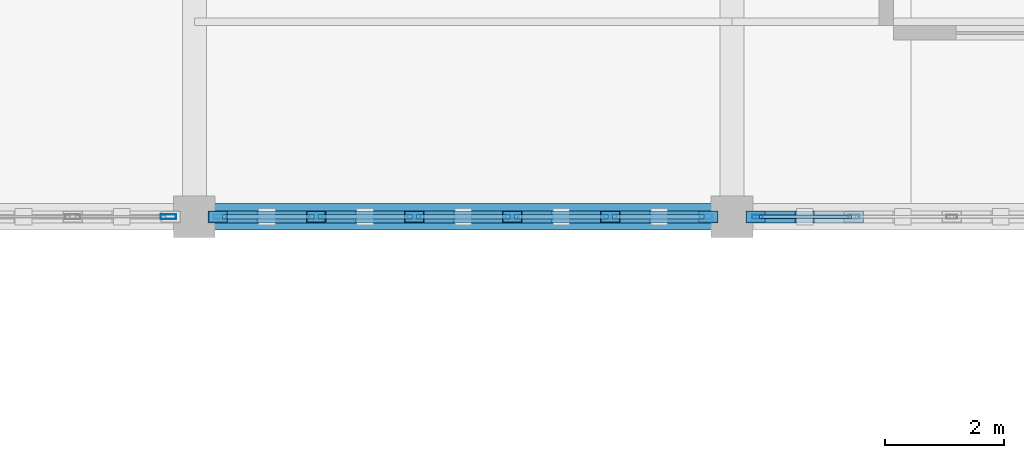
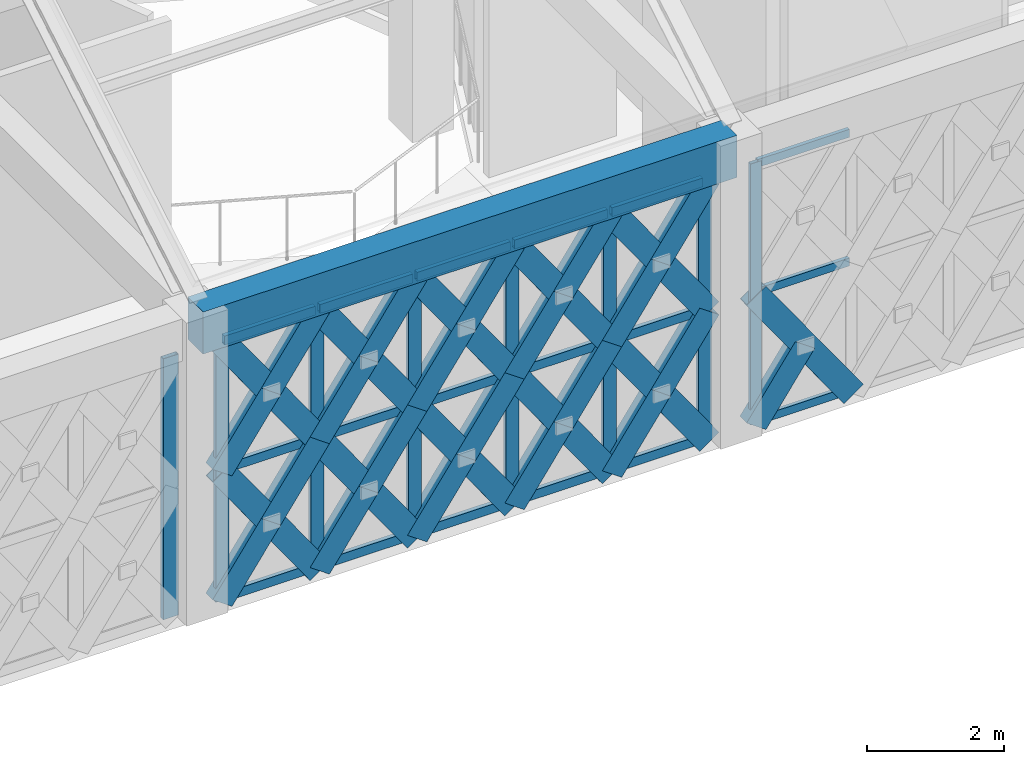
# One storey, part 39 of 72: 58 members, 1 beam, 3 elements without a shape of their own.
"""IFC4 building model written with IfcOpenShell, lengths in metres."""

from ifc_helpers import new_model, si_unit, direction, frame, origin, origin_2d, place, context, subcontext, project, spatial, rectangle, hollow_rectangle, extrude, material, material_profile, profile_set, type_object, element, aggregate, save


model = new_model("IFC4")

# Units and contexts
model_context = context("Model", 3, precision=1e-05, world=origin(), true_north=direction((0.0, 1.0)))
body_context = subcontext(model_context, "Body", "Model", "MODEL_VIEW")
ifc_project = project(units=[si_unit("LENGTHUNIT", "METRE"), si_unit("AREAUNIT", "SQUARE_METRE"), si_unit("VOLUMEUNIT", "CUBIC_METRE"), si_unit("PLANEANGLEUNIT", "RADIAN"), si_unit("MASSUNIT", "GRAM", prefix="KILO")], contexts=[model_context])

# Site, building, storey
site_placement = place(None, origin())
site = spatial("IfcSite", under=ifc_project, at=site_placement, CompositionType="ELEMENT")
building_placement = place(site_placement, origin())
building = spatial("IfcBuilding", under=site, at=building_placement, Name="Haizhuo Lancet Aquarium", CompositionType="ELEMENT")
storey_placement = place(building_placement, frame((0.0, 0.0, 21.60009765625)))
storey = spatial("IfcBuildingStorey", under=building, at=storey_placement, Name="L04", CompositionType="ELEMENT", Elevation=21.60009765625)

# Beam
ifc_material_1 = material(Name="Concrete C40/50", Category="concrete")
ifc_material_profile_1 = material_profile(ifc_material_1, rectangle(XDim=0.449951171875, YDim=0.75, at=origin_2d()), Name="RC-BM 450x750")
ifc_profile_set_1 = profile_set([ifc_material_profile_1], Name="Concrete C40/50")
beam_type = type_object("IfcBeamType", Name="BM-RC-450x750", PredefinedType="BEAM", material=ifc_profile_set_1)
beam_placement = place(storey_placement, frame((-18.0, 36.0, 5.02490234375), z_axis=(1.0, 0.0, 0.0), x_axis=(0.0, 1.0, 0.0)))
element("IfcBeam", 1, at=beam_placement, inside=storey, type_object=beam_type, Name="L04 V5 primary girder BM-L04-V5-004", PredefinedType="BEAM", context=body_context, shape_type="SweptSolid", body=[
    extrude(rectangle(XDim=0.449951171875, YDim=0.75, at=origin_2d()), origin(), (0.0, 0.0, 1.0), 9.0),
])

# Curtain wall, member
ifc_material_2 = material(Name="Aluminium 6063-T6", Category="aluminium")
curtain_wall_type = type_object("IfcCurtainWallType", Name="CWD-8210x4650", PredefinedType="NOTDEFINED", material=ifc_material_2)
curtain_wall_1_placement = place(storey_placement, origin())
curtain_wall_1 = element("IfcCurtainWall", 2, at=curtain_wall_1_placement, inside=storey, type_object=curtain_wall_type, Name="L04 curtain wall CW-V5-L04-187", PredefinedType="NOTDEFINED")
ifc_material_profile_2 = material_profile(ifc_material_2, hollow_rectangle(XDim=0.06494140625, YDim=0.179931640625, WallThickness=0.00390625, at=origin_2d()), Name="ALU-M 65x180x4")
ifc_profile_set_2 = profile_set([ifc_material_profile_2], Name="Aluminium 6063-T6")
member_type_1 = type_object("IfcMemberType", Name="CW-MUL-1", PredefinedType="MULLION", material=ifc_profile_set_2)
member_1_placement = place(storey_placement, frame((-8.572021484375, 36.0, 0.0), z_axis=(0.0, 0.0, 1.0), x_axis=(0.0, -1.0, 0.0)))
member_1 = element("IfcMember", 3, at=member_1_placement, type_object=member_type_1, Name="CWD-82x46 mullion 6", PredefinedType="MULLION", context=body_context, shape_type="SweptSolid", body=[
    extrude(hollow_rectangle(XDim=0.06494140625, YDim=0.179931640625, WallThickness=0.00390625, at=origin_2d()), origin(), (0.0, 0.0, 1.0), 4.64990234375),
])

# Curtain wall, members
curtain_wall_2_placement = place(storey_placement, origin())
curtain_wall_2 = element("IfcCurtainWall", 4, at=curtain_wall_2_placement, inside=storey, type_object=curtain_wall_type, Name="L04 curtain wall CW-V5-L04-188", PredefinedType="NOTDEFINED")
ifc_material_profile_3 = material_profile(ifc_material_2, hollow_rectangle(XDim=0.074951171875, YDim=0.219970703125, WallThickness=0.0048828125, at=origin_2d()), Name="ALU-M 75x220x5")
ifc_profile_set_3 = profile_set([ifc_material_profile_3], Name="Aluminium 6063-T6")
member_type_2 = type_object("IfcMemberType", Name="CW-MUL-2", PredefinedType="MULLION", material=ifc_profile_set_3)
member_2_placement = place(storey_placement, frame((-9.431884765625, 36.0, 0.0), z_axis=(0.0, 0.0, 1.0), x_axis=(0.0, -1.0, 0.0)))
member_2 = element("IfcMember", 5, at=member_2_placement, type_object=member_type_2, Name="CWD-82x46 mullion 1", PredefinedType="MULLION", context=body_context, shape_type="SweptSolid", body=[
    extrude(hollow_rectangle(XDim=0.074951171875, YDim=0.219970703125, WallThickness=0.0048828125, at=origin_2d()), origin(), (0.0, 0.0, 1.0), 4.64990234375),
])
member_3_placement = place(storey_placement, frame((-11.037109375, 36.0, 0.0), z_axis=(0.0, 0.0, 1.0), x_axis=(0.0, -1.0, 0.0)))
member_3 = element("IfcMember", 6, at=member_3_placement, type_object=member_type_2, Name="CWD-82x46 mullion 2", PredefinedType="MULLION", context=body_context, shape_type="SweptSolid", body=[
    extrude(hollow_rectangle(XDim=0.074951171875, YDim=0.219970703125, WallThickness=0.0048828125, at=origin_2d()), origin(), (0.0, 0.0, 1.0), 4.64990234375),
])
member_4_placement = place(storey_placement, frame((-12.678955078125, 36.0, 0.0), z_axis=(0.0, 0.0, 1.0), x_axis=(0.0, -1.0, 0.0)))
member_4 = element("IfcMember", 7, at=member_4_placement, type_object=member_type_2, Name="CWD-82x46 mullion 3", PredefinedType="MULLION", context=body_context, shape_type="SweptSolid", body=[
    extrude(hollow_rectangle(XDim=0.074951171875, YDim=0.219970703125, WallThickness=0.0048828125, at=origin_2d()), origin(), (0.0, 0.0, 1.0), 4.64990234375),
])
member_5_placement = place(storey_placement, frame((-14.321044921875, 36.0, 0.0), z_axis=(0.0, 0.0, 1.0), x_axis=(0.0, -1.0, 0.0)))
member_5 = element("IfcMember", 8, at=member_5_placement, type_object=member_type_2, Name="CWD-82x46 mullion 4", PredefinedType="MULLION", context=body_context, shape_type="SweptSolid", body=[
    extrude(hollow_rectangle(XDim=0.074951171875, YDim=0.219970703125, WallThickness=0.0048828125, at=origin_2d()), origin(), (0.0, 0.0, 1.0), 4.64990234375),
])
member_6_placement = place(storey_placement, frame((-15.962890625, 36.0, 0.0), z_axis=(0.0, 0.0, 1.0), x_axis=(0.0, -1.0, 0.0)))
member_6 = element("IfcMember", 9, at=member_6_placement, type_object=member_type_2, Name="CWD-82x46 mullion 5", PredefinedType="MULLION", context=body_context, shape_type="SweptSolid", body=[
    extrude(hollow_rectangle(XDim=0.074951171875, YDim=0.219970703125, WallThickness=0.0048828125, at=origin_2d()), origin(), (0.0, 0.0, 1.0), 4.64990234375),
])
member_7_placement = place(storey_placement, frame((-17.568115234375, 36.0, 0.0), z_axis=(0.0, 0.0, 1.0), x_axis=(0.0, -1.0, 0.0)))
member_7 = element("IfcMember", 10, at=member_7_placement, type_object=member_type_2, Name="CWD-82x46 mullion 6", PredefinedType="MULLION", context=body_context, shape_type="SweptSolid", body=[
    extrude(hollow_rectangle(XDim=0.074951171875, YDim=0.219970703125, WallThickness=0.0048828125, at=origin_2d()), origin(), (0.0, 0.0, 1.0), 4.64990234375),
])

# Curtain wall, member
curtain_wall_3_placement = place(storey_placement, origin())
curtain_wall_3 = element("IfcCurtainWall", 11, at=curtain_wall_3_placement, inside=storey, type_object=curtain_wall_type, Name="L04 curtain wall CW-V5-L04-189", PredefinedType="NOTDEFINED")
ifc_material_profile_4 = material_profile(ifc_material_2, hollow_rectangle(XDim=0.080078125, YDim=0.260009765625, WallThickness=0.0048828125, at=origin_2d()), Name="ALU-M 80x260x5")
ifc_profile_set_4 = profile_set([ifc_material_profile_4], Name="Aluminium 6063-T6")
member_type_3 = type_object("IfcMemberType", Name="CW-MUL-3", PredefinedType="MULLION", material=ifc_profile_set_4)
member_8_placement = place(storey_placement, frame((-18.43505859375, 36.0, 0.0), z_axis=(0.0, 0.0, 1.0), x_axis=(0.0, -1.0, 0.0)))
member_8 = element("IfcMember", 12, at=member_8_placement, type_object=member_type_3, Name="CWD-82x46 mullion 1", PredefinedType="MULLION", context=body_context, shape_type="SweptSolid", body=[
    extrude(hollow_rectangle(XDim=0.080078125, YDim=0.260009765625, WallThickness=0.0048828125, at=origin_2d()), origin(), (0.0, 0.0, 1.0), 4.64990234375),
])
aggregate(curtain_wall_3, [member_8])

# Member
ifc_material_profile_5 = material_profile(ifc_material_2, hollow_rectangle(XDim=0.06494140625, YDim=0.139892578125, WallThickness=0.00390625, at=origin_2d()), Name="ALU-T 65x140x4")
ifc_profile_set_5 = profile_set([ifc_material_profile_5], Name="Aluminium 6063-T6")
member_type_4 = type_object("IfcMemberType", Name="CW-TRN-1", PredefinedType="NOTDEFINED", material=ifc_profile_set_5)
member_9_placement = place(storey_placement, frame((-6.9951171875, 36.0, 0.032958984375), z_axis=(-1.0, 0.0, 0.0), x_axis=(0.0, -1.0, 0.0)))
member_9 = element("IfcMember", 13, at=member_9_placement, type_object=member_type_4, Name="CWD-82x46 transom 5.1", ObjectType="TRANSOM", PredefinedType="USERDEFINED", context=body_context, shape_type="SweptSolid", body=[
    extrude(hollow_rectangle(XDim=0.06494140625, YDim=0.139892578125, WallThickness=0.00390625, at=origin_2d()), origin(), (0.0, 0.0, 1.0), 1.544921875),
])

member_10_placement = place(storey_placement, frame((-6.9951171875, 36.0, 2.324951171875), z_axis=(-1.0, 0.0, 0.0), x_axis=(0.0, -1.0, 0.0)))
member_10 = element("IfcMember", 14, at=member_10_placement, type_object=member_type_4, Name="CWD-82x46 transom 5.2", ObjectType="TRANSOM", PredefinedType="USERDEFINED", context=body_context, shape_type="SweptSolid", body=[
    extrude(hollow_rectangle(XDim=0.06494140625, YDim=0.139892578125, WallThickness=0.00390625, at=origin_2d()), origin(), (0.0, 0.0, 1.0), 1.544921875),
])

member_11_placement = place(storey_placement, frame((-6.9951171875, 36.0, 4.617919921875), z_axis=(-1.0, 0.0, 0.0), x_axis=(0.0, -1.0, 0.0)))
member_11 = element("IfcMember", 15, at=member_11_placement, type_object=member_type_4, Name="CWD-82x46 transom 5.3", ObjectType="TRANSOM", PredefinedType="USERDEFINED", context=body_context, shape_type="SweptSolid", body=[
    extrude(hollow_rectangle(XDim=0.06494140625, YDim=0.139892578125, WallThickness=0.00390625, at=origin_2d()), origin(), (0.0, 0.0, 1.0), 1.544921875),
])

aggregate(curtain_wall_1, [member_1, member_9, member_10, member_11])

ifc_material_profile_6 = material_profile(ifc_material_2, hollow_rectangle(XDim=0.074951171875, YDim=0.159912109375, WallThickness=0.00390625, at=origin_2d()), Name="ALU-T 75x160x4")
ifc_profile_set_6 = profile_set([ifc_material_profile_6], Name="Aluminium 6063-T6")
member_type_5 = type_object("IfcMemberType", Name="CW-TRN-2", PredefinedType="NOTDEFINED", material=ifc_profile_set_6)
member_12_placement = place(storey_placement, frame((-9.469970703125, 36.0, 0.037841796875), z_axis=(-1.0, 0.0, 0.0), x_axis=(0.0, -1.0, 0.0)))
member_12 = element("IfcMember", 16, at=member_12_placement, type_object=member_type_5, Name="CWD-82x46 transom 1.1", ObjectType="TRANSOM", PredefinedType="USERDEFINED", context=body_context, shape_type="SweptSolid", body=[
    extrude(hollow_rectangle(XDim=0.074951171875, YDim=0.159912109375, WallThickness=0.00390625, at=origin_2d()), origin(), (0.0, 0.0, 1.0), 1.529052734375),
])

member_13_placement = place(storey_placement, frame((-9.469970703125, 36.0, 2.324951171875), z_axis=(-1.0, 0.0, 0.0), x_axis=(0.0, -1.0, 0.0)))
member_13 = element("IfcMember", 17, at=member_13_placement, type_object=member_type_5, Name="CWD-82x46 transom 1.2", ObjectType="TRANSOM", PredefinedType="USERDEFINED", context=body_context, shape_type="SweptSolid", body=[
    extrude(hollow_rectangle(XDim=0.074951171875, YDim=0.159912109375, WallThickness=0.00390625, at=origin_2d()), origin(), (0.0, 0.0, 1.0), 1.529052734375),
])

member_14_placement = place(storey_placement, frame((-9.469970703125, 36.0, 4.61181640625), z_axis=(-1.0, 0.0, 0.0), x_axis=(0.0, -1.0, 0.0)))
member_14 = element("IfcMember", 18, at=member_14_placement, type_object=member_type_5, Name="CWD-82x46 transom 1.3", ObjectType="TRANSOM", PredefinedType="USERDEFINED", context=body_context, shape_type="SweptSolid", body=[
    extrude(hollow_rectangle(XDim=0.074951171875, YDim=0.159912109375, WallThickness=0.00390625, at=origin_2d()), origin(), (0.0, 0.0, 1.0), 1.529052734375),
])

member_15_placement = place(storey_placement, frame((-11.074951171875, 36.0, 0.037841796875), z_axis=(-1.0, 0.0, 0.0), x_axis=(0.0, -1.0, 0.0)))
member_15 = element("IfcMember", 19, at=member_15_placement, type_object=member_type_5, Name="CWD-82x46 transom 2.1", ObjectType="TRANSOM", PredefinedType="USERDEFINED", context=body_context, shape_type="SweptSolid", body=[
    extrude(hollow_rectangle(XDim=0.074951171875, YDim=0.159912109375, WallThickness=0.00390625, at=origin_2d()), origin(), (0.0, 0.0, 1.0), 1.567138671875),
])

member_16_placement = place(storey_placement, frame((-11.074951171875, 36.0, 2.324951171875), z_axis=(-1.0, 0.0, 0.0), x_axis=(0.0, -1.0, 0.0)))
member_16 = element("IfcMember", 20, at=member_16_placement, type_object=member_type_5, Name="CWD-82x46 transom 2.2", ObjectType="TRANSOM", PredefinedType="USERDEFINED", context=body_context, shape_type="SweptSolid", body=[
    extrude(hollow_rectangle(XDim=0.074951171875, YDim=0.159912109375, WallThickness=0.00390625, at=origin_2d()), origin(), (0.0, 0.0, 1.0), 1.567138671875),
])

member_17_placement = place(storey_placement, frame((-11.074951171875, 36.0, 4.61181640625), z_axis=(-1.0, 0.0, 0.0), x_axis=(0.0, -1.0, 0.0)))
member_17 = element("IfcMember", 21, at=member_17_placement, type_object=member_type_5, Name="CWD-82x46 transom 2.3", ObjectType="TRANSOM", PredefinedType="USERDEFINED", context=body_context, shape_type="SweptSolid", body=[
    extrude(hollow_rectangle(XDim=0.074951171875, YDim=0.159912109375, WallThickness=0.00390625, at=origin_2d()), origin(), (0.0, 0.0, 1.0), 1.567138671875),
])

member_18_placement = place(storey_placement, frame((-12.716064453125, 36.0, 0.037841796875), z_axis=(-1.0, 0.0, 0.0), x_axis=(0.0, -1.0, 0.0)))
member_18 = element("IfcMember", 22, at=member_18_placement, type_object=member_type_5, Name="CWD-82x46 transom 3.1", ObjectType="TRANSOM", PredefinedType="USERDEFINED", context=body_context, shape_type="SweptSolid", body=[
    extrude(hollow_rectangle(XDim=0.074951171875, YDim=0.159912109375, WallThickness=0.00390625, at=origin_2d()), origin(), (0.0, 0.0, 1.0), 1.56787109375),
])

member_19_placement = place(storey_placement, frame((-12.716064453125, 36.0, 2.324951171875), z_axis=(-1.0, 0.0, 0.0), x_axis=(0.0, -1.0, 0.0)))
member_19 = element("IfcMember", 23, at=member_19_placement, type_object=member_type_5, Name="CWD-82x46 transom 3.2", ObjectType="TRANSOM", PredefinedType="USERDEFINED", context=body_context, shape_type="SweptSolid", body=[
    extrude(hollow_rectangle(XDim=0.074951171875, YDim=0.159912109375, WallThickness=0.00390625, at=origin_2d()), origin(), (0.0, 0.0, 1.0), 1.56787109375),
])

member_20_placement = place(storey_placement, frame((-12.716064453125, 36.0, 4.61181640625), z_axis=(-1.0, 0.0, 0.0), x_axis=(0.0, -1.0, 0.0)))
member_20 = element("IfcMember", 24, at=member_20_placement, type_object=member_type_5, Name="CWD-82x46 transom 3.3", ObjectType="TRANSOM", PredefinedType="USERDEFINED", context=body_context, shape_type="SweptSolid", body=[
    extrude(hollow_rectangle(XDim=0.074951171875, YDim=0.159912109375, WallThickness=0.00390625, at=origin_2d()), origin(), (0.0, 0.0, 1.0), 1.56787109375),
])

member_21_placement = place(storey_placement, frame((-14.35791015625, 36.0, 0.037841796875), z_axis=(-1.0, 0.0, 0.0), x_axis=(0.0, -1.0, 0.0)))
member_21 = element("IfcMember", 25, at=member_21_placement, type_object=member_type_5, Name="CWD-82x46 transom 4.1", ObjectType="TRANSOM", PredefinedType="USERDEFINED", context=body_context, shape_type="SweptSolid", body=[
    extrude(hollow_rectangle(XDim=0.074951171875, YDim=0.159912109375, WallThickness=0.00390625, at=origin_2d()), origin(), (0.0, 0.0, 1.0), 1.567138671875),
])

member_22_placement = place(storey_placement, frame((-14.35791015625, 36.0, 2.324951171875), z_axis=(-1.0, 0.0, 0.0), x_axis=(0.0, -1.0, 0.0)))
member_22 = element("IfcMember", 26, at=member_22_placement, type_object=member_type_5, Name="CWD-82x46 transom 4.2", ObjectType="TRANSOM", PredefinedType="USERDEFINED", context=body_context, shape_type="SweptSolid", body=[
    extrude(hollow_rectangle(XDim=0.074951171875, YDim=0.159912109375, WallThickness=0.00390625, at=origin_2d()), origin(), (0.0, 0.0, 1.0), 1.567138671875),
])

member_23_placement = place(storey_placement, frame((-14.35791015625, 36.0, 4.61181640625), z_axis=(-1.0, 0.0, 0.0), x_axis=(0.0, -1.0, 0.0)))
member_23 = element("IfcMember", 27, at=member_23_placement, type_object=member_type_5, Name="CWD-82x46 transom 4.3", ObjectType="TRANSOM", PredefinedType="USERDEFINED", context=body_context, shape_type="SweptSolid", body=[
    extrude(hollow_rectangle(XDim=0.074951171875, YDim=0.159912109375, WallThickness=0.00390625, at=origin_2d()), origin(), (0.0, 0.0, 1.0), 1.567138671875),
])

member_24_placement = place(storey_placement, frame((-16.0, 36.0, 0.037841796875), z_axis=(-1.0, 0.0, 0.0), x_axis=(0.0, -1.0, 0.0)))
member_24 = element("IfcMember", 28, at=member_24_placement, type_object=member_type_5, Name="CWD-82x46 transom 5.1", ObjectType="TRANSOM", PredefinedType="USERDEFINED", context=body_context, shape_type="SweptSolid", body=[
    extrude(hollow_rectangle(XDim=0.074951171875, YDim=0.159912109375, WallThickness=0.00390625, at=origin_2d()), origin(), (0.0, 0.0, 1.0), 1.530029296875),
])

member_25_placement = place(storey_placement, frame((-16.0, 36.0, 2.324951171875), z_axis=(-1.0, 0.0, 0.0), x_axis=(0.0, -1.0, 0.0)))
member_25 = element("IfcMember", 29, at=member_25_placement, type_object=member_type_5, Name="CWD-82x46 transom 5.2", ObjectType="TRANSOM", PredefinedType="USERDEFINED", context=body_context, shape_type="SweptSolid", body=[
    extrude(hollow_rectangle(XDim=0.074951171875, YDim=0.159912109375, WallThickness=0.00390625, at=origin_2d()), origin(), (0.0, 0.0, 1.0), 1.530029296875),
])

member_26_placement = place(storey_placement, frame((-16.0, 36.0, 4.61181640625), z_axis=(-1.0, 0.0, 0.0), x_axis=(0.0, -1.0, 0.0)))
member_26 = element("IfcMember", 30, at=member_26_placement, type_object=member_type_5, Name="CWD-82x46 transom 5.3", ObjectType="TRANSOM", PredefinedType="USERDEFINED", context=body_context, shape_type="SweptSolid", body=[
    extrude(hollow_rectangle(XDim=0.074951171875, YDim=0.159912109375, WallThickness=0.00390625, at=origin_2d()), origin(), (0.0, 0.0, 1.0), 1.530029296875),
])

aggregate(curtain_wall_2, [member_2, member_3, member_4, member_5, member_6, member_7, member_12, member_13, member_14, member_15, member_16, member_17, member_18, member_19, member_20, member_21, member_22, member_23, member_24, member_25, member_26])

# Members
ifc_material_3 = material(Name="Steel S355", Category="steel")
ifc_material_profile_7 = material_profile(ifc_material_3, hollow_rectangle(XDim=0.199951171875, YDim=0.39990234375, WallThickness=0.011962890625, at=origin_2d()), Name="RHS 200x400x12")
ifc_profile_set_7 = profile_set([ifc_material_profile_7], Name="Steel S355")
member_type_6 = type_object("IfcMemberType", Name="MEM-LB-RHS200x400", PredefinedType="BRACE", material=ifc_profile_set_7)
member_27_placement = place(storey_placement, frame((-6.962890625, 36.0, 0.0), z_axis=(-0.576905431865, 0.0, 0.816810946722), x_axis=(0.0, -1.0, 0.0)))
element("IfcMember", 31, at=member_27_placement, inside=storey, type_object=member_type_6, Name="Gothic lancet continuous diagonal brace CW-V5-L04-187 9A", PredefinedType="BRACE", context=body_context, shape_type="SweptSolid", body=[
    extrude(hollow_rectangle(XDim=0.199951171875, YDim=0.39990234375, WallThickness=0.011962890625, at=origin_2d()), origin(), (0.0, 0.0, 1.0), 2.846435546875),
])
member_28_placement = place(storey_placement, frame((-8.60498046875, 36.0, 0.0), z_axis=(0.576784197237, 0.0, 0.816896560048), x_axis=(0.0, 1.0, 0.0)))
element("IfcMember", 32, at=member_28_placement, inside=storey, type_object=member_type_6, Name="Gothic lancet split diagonal brace CW-V5-L04-187 9B1", PredefinedType="BRACE", context=body_context, shape_type="SweptSolid", body=[
    extrude(hollow_rectangle(XDim=0.199951171875, YDim=0.39990234375, WallThickness=0.011962890625, at=origin_2d()), origin(), (0.0, 0.0, 1.0), 1.423583984375),
])
member_29_placement = place(storey_placement, frame((-9.39501953125, 36.0, 0.0), z_axis=(-0.576905431865, 0.0, 0.816810946722), x_axis=(0.0, -1.0, 0.0)))
element("IfcMember", 33, at=member_29_placement, inside=storey, type_object=member_type_6, Name="Gothic lancet continuous diagonal brace CW-V5-L04-188 1A", PredefinedType="BRACE", context=body_context, shape_type="SweptSolid", body=[
    extrude(hollow_rectangle(XDim=0.199951171875, YDim=0.39990234375, WallThickness=0.011962890625, at=origin_2d()), origin(), (0.0, 0.0, 1.0), 2.846435546875),
])
member_30_placement = place(storey_placement, frame((-11.037109375, 36.0, 0.0), z_axis=(0.576784197237, 0.0, 0.816896560048), x_axis=(0.0, 1.0, 0.0)))
element("IfcMember", 34, at=member_30_placement, inside=storey, type_object=member_type_6, Name="Gothic lancet split diagonal brace CW-V5-L04-188 1B1", PredefinedType="BRACE", context=body_context, shape_type="SweptSolid", body=[
    extrude(hollow_rectangle(XDim=0.199951171875, YDim=0.39990234375, WallThickness=0.011962890625, at=origin_2d()), origin(), (0.0, 0.0, 1.0), 1.423583984375),
])
member_31_placement = place(storey_placement, frame((-10.216064453125, 36.0, 1.162841796875), z_axis=(0.57702670475, 0.0, 0.816725279396), x_axis=(0.0, 1.0, 0.0)))
element("IfcMember", 35, at=member_31_placement, inside=storey, type_object=member_type_6, Name="Gothic lancet split diagonal brace CW-V5-L04-188 1B2", PredefinedType="BRACE", context=body_context, shape_type="SweptSolid", body=[
    extrude(hollow_rectangle(XDim=0.199951171875, YDim=0.39990234375, WallThickness=0.011962890625, at=origin_2d()), origin(), (0.0, 0.0, 1.0), 1.4228515625),
])
member_32_placement = place(storey_placement, frame((-9.39501953125, 36.0, 2.324951171875), z_axis=(-0.576905431865, 0.0, 0.816810946722), x_axis=(0.0, -1.0, 0.0)))
element("IfcMember", 36, at=member_32_placement, inside=storey, type_object=member_type_6, Name="Gothic lancet continuous diagonal brace CW-V5-L04-188 2A", PredefinedType="BRACE", context=body_context, shape_type="SweptSolid", body=[
    extrude(hollow_rectangle(XDim=0.199951171875, YDim=0.39990234375, WallThickness=0.011962890625, at=origin_2d()), origin(), (0.0, 0.0, 1.0), 2.846435546875),
])
member_33_placement = place(storey_placement, frame((-11.037109375, 36.0, 2.324951171875), z_axis=(0.577107574598, 0.0, 0.816668137827), x_axis=(0.0, 1.0, 0.0)))
element("IfcMember", 37, at=member_33_placement, inside=storey, type_object=member_type_6, Name="Gothic lancet split diagonal brace CW-V5-L04-188 2B1", PredefinedType="BRACE", context=body_context, shape_type="SweptSolid", body=[
    extrude(hollow_rectangle(XDim=0.199951171875, YDim=0.39990234375, WallThickness=0.011962890625, at=origin_2d()), origin(), (0.0, 0.0, 1.0), 1.422607421875),
])
member_34_placement = place(storey_placement, frame((-10.216064453125, 36.0, 3.48681640625), z_axis=(0.576703395402, 0.0, 0.816953605618), x_axis=(0.0, 1.0, 0.0)))
element("IfcMember", 38, at=member_34_placement, inside=storey, type_object=member_type_6, Name="Gothic lancet split diagonal brace CW-V5-L04-188 2B2", PredefinedType="BRACE", context=body_context, shape_type="SweptSolid", body=[
    extrude(hollow_rectangle(XDim=0.199951171875, YDim=0.39990234375, WallThickness=0.011962890625, at=origin_2d()), origin(), (0.0, 0.0, 1.0), 1.423583984375),
])
member_35_placement = place(storey_placement, frame((-11.037109375, 36.0, 0.0), z_axis=(-0.57684820195, 0.0, 0.816851364635), x_axis=(0.0, -1.0, 0.0)))
element("IfcMember", 39, at=member_35_placement, inside=storey, type_object=member_type_6, Name="Gothic lancet continuous diagonal brace CW-V5-L04-188 3A", PredefinedType="BRACE", context=body_context, shape_type="SweptSolid", body=[
    extrude(hollow_rectangle(XDim=0.199951171875, YDim=0.39990234375, WallThickness=0.011962890625, at=origin_2d()), origin(), (0.0, 0.0, 1.0), 2.84619140625),
])
member_36_placement = place(storey_placement, frame((-12.678955078125, 36.0, 0.0), z_axis=(0.576784197237, 0.0, 0.816896560048), x_axis=(0.0, 1.0, 0.0)))
element("IfcMember", 40, at=member_36_placement, inside=storey, type_object=member_type_6, Name="Gothic lancet split diagonal brace CW-V5-L04-188 3B1", PredefinedType="BRACE", context=body_context, shape_type="SweptSolid", body=[
    extrude(hollow_rectangle(XDim=0.199951171875, YDim=0.39990234375, WallThickness=0.011962890625, at=origin_2d()), origin(), (0.0, 0.0, 1.0), 1.423583984375),
])
member_37_placement = place(storey_placement, frame((-11.85791015625, 36.0, 1.162841796875), z_axis=(0.57691223637, 0.0, 0.816806140726), x_axis=(0.0, 1.0, 0.0)))
element("IfcMember", 41, at=member_37_placement, inside=storey, type_object=member_type_6, Name="Gothic lancet split diagonal brace CW-V5-L04-188 3B2", PredefinedType="BRACE", context=body_context, shape_type="SweptSolid", body=[
    extrude(hollow_rectangle(XDim=0.199951171875, YDim=0.39990234375, WallThickness=0.011962890625, at=origin_2d()), origin(), (0.0, 0.0, 1.0), 1.4228515625),
])
member_38_placement = place(storey_placement, frame((-11.037109375, 36.0, 2.324951171875), z_axis=(-0.57684820195, 0.0, 0.816851364635), x_axis=(0.0, -1.0, 0.0)))
element("IfcMember", 42, at=member_38_placement, inside=storey, type_object=member_type_6, Name="Gothic lancet continuous diagonal brace CW-V5-L04-188 4A", PredefinedType="BRACE", context=body_context, shape_type="SweptSolid", body=[
    extrude(hollow_rectangle(XDim=0.199951171875, YDim=0.39990234375, WallThickness=0.011962890625, at=origin_2d()), origin(), (0.0, 0.0, 1.0), 2.84619140625),
])
member_39_placement = place(storey_placement, frame((-12.678955078125, 36.0, 2.324951171875), z_axis=(0.577107574598, 0.0, 0.816668137827), x_axis=(0.0, 1.0, 0.0)))
element("IfcMember", 43, at=member_39_placement, inside=storey, type_object=member_type_6, Name="Gothic lancet split diagonal brace CW-V5-L04-188 4B1", PredefinedType="BRACE", context=body_context, shape_type="SweptSolid", body=[
    extrude(hollow_rectangle(XDim=0.199951171875, YDim=0.39990234375, WallThickness=0.011962890625, at=origin_2d()), origin(), (0.0, 0.0, 1.0), 1.422607421875),
])
member_40_placement = place(storey_placement, frame((-11.85791015625, 36.0, 3.48681640625), z_axis=(0.576588927202, 0.0, 0.817034398926), x_axis=(0.0, 1.0, 0.0)))
element("IfcMember", 44, at=member_40_placement, inside=storey, type_object=member_type_6, Name="Gothic lancet split diagonal brace CW-V5-L04-188 4B2", PredefinedType="BRACE", context=body_context, shape_type="SweptSolid", body=[
    extrude(hollow_rectangle(XDim=0.199951171875, YDim=0.39990234375, WallThickness=0.011962890625, at=origin_2d()), origin(), (0.0, 0.0, 1.0), 1.423583984375),
])
member_41_placement = place(storey_placement, frame((-12.678955078125, 36.0, 0.0), z_axis=(-0.576905431865, 0.0, 0.816810946722), x_axis=(0.0, -1.0, 0.0)))
element("IfcMember", 45, at=member_41_placement, inside=storey, type_object=member_type_6, Name="Gothic lancet continuous diagonal brace CW-V5-L04-188 5A", PredefinedType="BRACE", context=body_context, shape_type="SweptSolid", body=[
    extrude(hollow_rectangle(XDim=0.199951171875, YDim=0.39990234375, WallThickness=0.011962890625, at=origin_2d()), origin(), (0.0, 0.0, 1.0), 2.846435546875),
])
member_42_placement = place(storey_placement, frame((-14.321044921875, 36.0, 0.0), z_axis=(0.576784197237, 0.0, 0.816896560048), x_axis=(0.0, 1.0, 0.0)))
element("IfcMember", 46, at=member_42_placement, inside=storey, type_object=member_type_6, Name="Gothic lancet split diagonal brace CW-V5-L04-188 5B1", PredefinedType="BRACE", context=body_context, shape_type="SweptSolid", body=[
    extrude(hollow_rectangle(XDim=0.199951171875, YDim=0.39990234375, WallThickness=0.011962890625, at=origin_2d()), origin(), (0.0, 0.0, 1.0), 1.423583984375),
])
member_43_placement = place(storey_placement, frame((-13.5, 36.0, 1.162841796875), z_axis=(0.57702670475, 0.0, 0.816725279396), x_axis=(0.0, 1.0, 0.0)))
element("IfcMember", 47, at=member_43_placement, inside=storey, type_object=member_type_6, Name="Gothic lancet split diagonal brace CW-V5-L04-188 5B2", PredefinedType="BRACE", context=body_context, shape_type="SweptSolid", body=[
    extrude(hollow_rectangle(XDim=0.199951171875, YDim=0.39990234375, WallThickness=0.011962890625, at=origin_2d()), origin(), (0.0, 0.0, 1.0), 1.4228515625),
])
member_44_placement = place(storey_placement, frame((-12.678955078125, 36.0, 2.324951171875), z_axis=(-0.576905431865, 0.0, 0.816810946722), x_axis=(0.0, -1.0, 0.0)))
element("IfcMember", 48, at=member_44_placement, inside=storey, type_object=member_type_6, Name="Gothic lancet continuous diagonal brace CW-V5-L04-188 6A", PredefinedType="BRACE", context=body_context, shape_type="SweptSolid", body=[
    extrude(hollow_rectangle(XDim=0.199951171875, YDim=0.39990234375, WallThickness=0.011962890625, at=origin_2d()), origin(), (0.0, 0.0, 1.0), 2.846435546875),
])
member_45_placement = place(storey_placement, frame((-14.321044921875, 36.0, 2.324951171875), z_axis=(0.577107574598, 0.0, 0.816668137827), x_axis=(0.0, 1.0, 0.0)))
element("IfcMember", 49, at=member_45_placement, inside=storey, type_object=member_type_6, Name="Gothic lancet split diagonal brace CW-V5-L04-188 6B1", PredefinedType="BRACE", context=body_context, shape_type="SweptSolid", body=[
    extrude(hollow_rectangle(XDim=0.199951171875, YDim=0.39990234375, WallThickness=0.011962890625, at=origin_2d()), origin(), (0.0, 0.0, 1.0), 1.422607421875),
])
member_46_placement = place(storey_placement, frame((-13.5, 36.0, 3.48681640625), z_axis=(0.576703395402, 0.0, 0.816953605618), x_axis=(0.0, 1.0, 0.0)))
element("IfcMember", 50, at=member_46_placement, inside=storey, type_object=member_type_6, Name="Gothic lancet split diagonal brace CW-V5-L04-188 6B2", PredefinedType="BRACE", context=body_context, shape_type="SweptSolid", body=[
    extrude(hollow_rectangle(XDim=0.199951171875, YDim=0.39990234375, WallThickness=0.011962890625, at=origin_2d()), origin(), (0.0, 0.0, 1.0), 1.423583984375),
])
member_47_placement = place(storey_placement, frame((-14.321044921875, 36.0, 0.0), z_axis=(-0.57684820195, 0.0, 0.816851364635), x_axis=(0.0, -1.0, 0.0)))
element("IfcMember", 51, at=member_47_placement, inside=storey, type_object=member_type_6, Name="Gothic lancet continuous diagonal brace CW-V5-L04-188 7A", PredefinedType="BRACE", context=body_context, shape_type="SweptSolid", body=[
    extrude(hollow_rectangle(XDim=0.199951171875, YDim=0.39990234375, WallThickness=0.011962890625, at=origin_2d()), origin(), (0.0, 0.0, 1.0), 2.84619140625),
])
member_48_placement = place(storey_placement, frame((-15.962890625, 36.0, 0.0), z_axis=(0.576669728982, 0.0, 0.816977370357), x_axis=(0.0, 1.0, 0.0)))
element("IfcMember", 52, at=member_48_placement, inside=storey, type_object=member_type_6, Name="Gothic lancet split diagonal brace CW-V5-L04-188 7B1", PredefinedType="BRACE", context=body_context, shape_type="SweptSolid", body=[
    extrude(hollow_rectangle(XDim=0.199951171875, YDim=0.39990234375, WallThickness=0.011962890625, at=origin_2d()), origin(), (0.0, 0.0, 1.0), 1.42333984375),
])
member_49_placement = place(storey_placement, frame((-15.14208984375, 36.0, 1.162841796875), z_axis=(0.57702670475, 0.0, 0.816725279396), x_axis=(0.0, 1.0, 0.0)))
element("IfcMember", 53, at=member_49_placement, inside=storey, type_object=member_type_6, Name="Gothic lancet split diagonal brace CW-V5-L04-188 7B2", PredefinedType="BRACE", context=body_context, shape_type="SweptSolid", body=[
    extrude(hollow_rectangle(XDim=0.199951171875, YDim=0.39990234375, WallThickness=0.011962890625, at=origin_2d()), origin(), (0.0, 0.0, 1.0), 1.4228515625),
])
member_50_placement = place(storey_placement, frame((-14.321044921875, 36.0, 2.324951171875), z_axis=(-0.57684820195, 0.0, 0.816851364635), x_axis=(0.0, -1.0, 0.0)))
element("IfcMember", 54, at=member_50_placement, inside=storey, type_object=member_type_6, Name="Gothic lancet continuous diagonal brace CW-V5-L04-188 8A", PredefinedType="BRACE", context=body_context, shape_type="SweptSolid", body=[
    extrude(hollow_rectangle(XDim=0.199951171875, YDim=0.39990234375, WallThickness=0.011962890625, at=origin_2d()), origin(), (0.0, 0.0, 1.0), 2.84619140625),
])
member_51_placement = place(storey_placement, frame((-15.962890625, 36.0, 2.324951171875), z_axis=(0.576993106189, 0.0, 0.816749016167), x_axis=(0.0, 1.0, 0.0)))
element("IfcMember", 55, at=member_51_placement, inside=storey, type_object=member_type_6, Name="Gothic lancet split diagonal brace CW-V5-L04-188 8B1", PredefinedType="BRACE", context=body_context, shape_type="SweptSolid", body=[
    extrude(hollow_rectangle(XDim=0.199951171875, YDim=0.39990234375, WallThickness=0.011962890625, at=origin_2d()), origin(), (0.0, 0.0, 1.0), 1.422607421875),
])
member_52_placement = place(storey_placement, frame((-15.14208984375, 36.0, 3.48681640625), z_axis=(0.576703395402, 0.0, 0.816953605618), x_axis=(0.0, 1.0, 0.0)))
element("IfcMember", 56, at=member_52_placement, inside=storey, type_object=member_type_6, Name="Gothic lancet split diagonal brace CW-V5-L04-188 8B2", PredefinedType="BRACE", context=body_context, shape_type="SweptSolid", body=[
    extrude(hollow_rectangle(XDim=0.199951171875, YDim=0.39990234375, WallThickness=0.011962890625, at=origin_2d()), origin(), (0.0, 0.0, 1.0), 1.423583984375),
])
member_53_placement = place(storey_placement, frame((-15.962890625, 36.0, 0.0), z_axis=(-0.576905431865, 0.0, 0.816810946722), x_axis=(0.0, -1.0, 0.0)))
element("IfcMember", 57, at=member_53_placement, inside=storey, type_object=member_type_6, Name="Gothic lancet continuous diagonal brace CW-V5-L04-188 9A", PredefinedType="BRACE", context=body_context, shape_type="SweptSolid", body=[
    extrude(hollow_rectangle(XDim=0.199951171875, YDim=0.39990234375, WallThickness=0.011962890625, at=origin_2d()), origin(), (0.0, 0.0, 1.0), 2.846435546875),
])
member_54_placement = place(storey_placement, frame((-17.60498046875, 36.0, 0.0), z_axis=(0.576784197237, 0.0, 0.816896560048), x_axis=(0.0, 1.0, 0.0)))
element("IfcMember", 58, at=member_54_placement, inside=storey, type_object=member_type_6, Name="Gothic lancet split diagonal brace CW-V5-L04-188 9B1", PredefinedType="BRACE", context=body_context, shape_type="SweptSolid", body=[
    extrude(hollow_rectangle(XDim=0.199951171875, YDim=0.39990234375, WallThickness=0.011962890625, at=origin_2d()), origin(), (0.0, 0.0, 1.0), 1.423583984375),
])
member_55_placement = place(storey_placement, frame((-16.783935546875, 36.0, 1.162841796875), z_axis=(0.57702670475, 0.0, 0.816725279396), x_axis=(0.0, 1.0, 0.0)))
element("IfcMember", 59, at=member_55_placement, inside=storey, type_object=member_type_6, Name="Gothic lancet split diagonal brace CW-V5-L04-188 9B2", PredefinedType="BRACE", context=body_context, shape_type="SweptSolid", body=[
    extrude(hollow_rectangle(XDim=0.199951171875, YDim=0.39990234375, WallThickness=0.011962890625, at=origin_2d()), origin(), (0.0, 0.0, 1.0), 1.4228515625),
])
member_56_placement = place(storey_placement, frame((-15.962890625, 36.0, 2.324951171875), z_axis=(-0.576905431865, 0.0, 0.816810946722), x_axis=(0.0, -1.0, 0.0)))
element("IfcMember", 60, at=member_56_placement, inside=storey, type_object=member_type_6, Name="Gothic lancet continuous diagonal brace CW-V5-L04-188 10A", PredefinedType="BRACE", context=body_context, shape_type="SweptSolid", body=[
    extrude(hollow_rectangle(XDim=0.199951171875, YDim=0.39990234375, WallThickness=0.011962890625, at=origin_2d()), origin(), (0.0, 0.0, 1.0), 2.846435546875),
])
member_57_placement = place(storey_placement, frame((-17.60498046875, 36.0, 2.324951171875), z_axis=(0.577107574598, 0.0, 0.816668137827), x_axis=(0.0, 1.0, 0.0)))
element("IfcMember", 61, at=member_57_placement, inside=storey, type_object=member_type_6, Name="Gothic lancet split diagonal brace CW-V5-L04-188 10B1", PredefinedType="BRACE", context=body_context, shape_type="SweptSolid", body=[
    extrude(hollow_rectangle(XDim=0.199951171875, YDim=0.39990234375, WallThickness=0.011962890625, at=origin_2d()), origin(), (0.0, 0.0, 1.0), 1.422607421875),
])
member_58_placement = place(storey_placement, frame((-16.783935546875, 36.0, 3.48681640625), z_axis=(0.576703395402, 0.0, 0.816953605618), x_axis=(0.0, 1.0, 0.0)))
element("IfcMember", 62, at=member_58_placement, inside=storey, type_object=member_type_6, Name="Gothic lancet split diagonal brace CW-V5-L04-188 10B2", PredefinedType="BRACE", context=body_context, shape_type="SweptSolid", body=[
    extrude(hollow_rectangle(XDim=0.199951171875, YDim=0.39990234375, WallThickness=0.011962890625, at=origin_2d()), origin(), (0.0, 0.0, 1.0), 1.423583984375),
])

save(model, "model.ifc")
